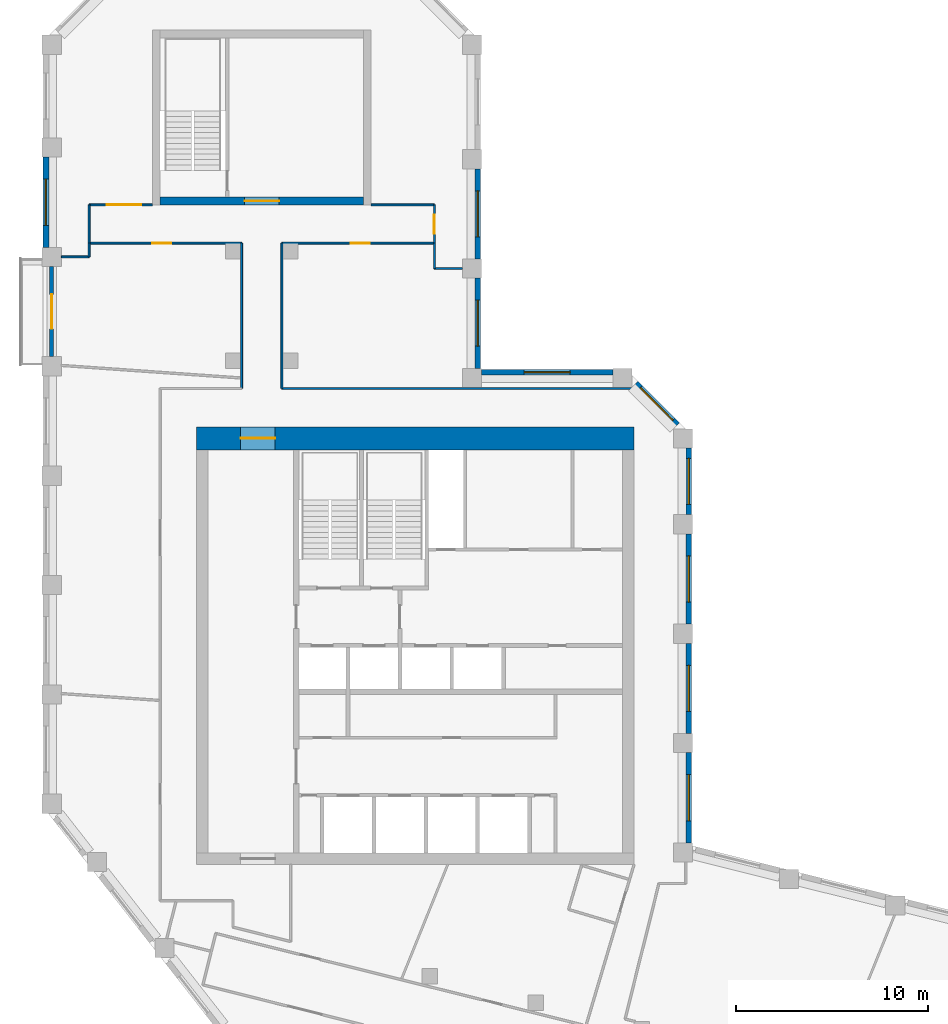
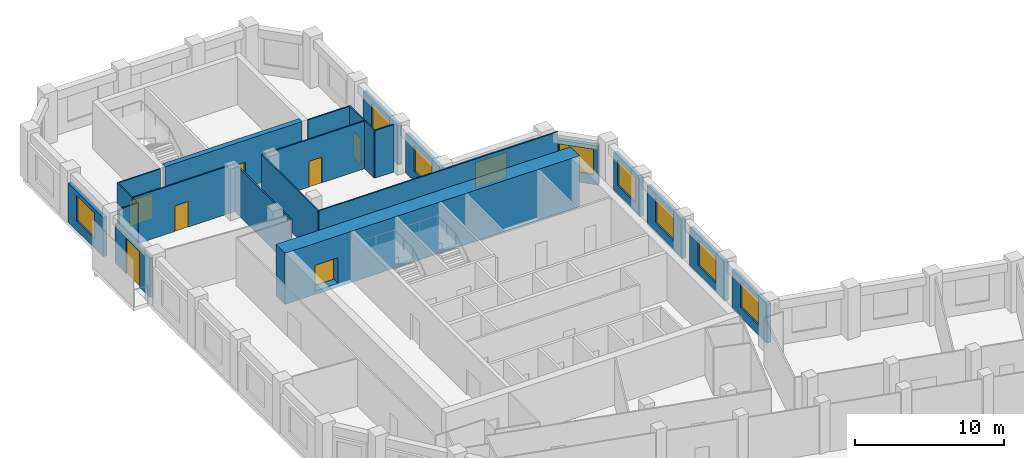
# One storey, part 6 of 9: 25 walls, 9 windows, 7 doors, 16 openings.
"""IFC4 building model written with IfcOpenShell, lengths in metres."""

from ifc_helpers import new_model, si_unit, direction, frame, frame_2d, origin, place, context, subcontext, project, spatial, rectangle, extrude, material, layer, layer_set, type_object, element, fill, save


model = new_model("IFC4")

# Units and contexts
model_context = context("Model", 3, precision=1e-05, world=origin(), true_north=direction((0.0, 1.0)))
body_context = subcontext(model_context, "Body", "Model", "MODEL_VIEW")
ifc_project = project(units=[si_unit("LENGTHUNIT", "METRE"), si_unit("AREAUNIT", "SQUARE_METRE"), si_unit("VOLUMEUNIT", "CUBIC_METRE"), si_unit("PLANEANGLEUNIT", "RADIAN"), si_unit("MASSUNIT", "GRAM", prefix="KILO")], contexts=[model_context])

# Site, building, storey
site_placement = place(None, origin())
site = spatial("IfcSite", under=ifc_project, at=site_placement, CompositionType="ELEMENT")
building_placement = place(site_placement, origin())
building = spatial("IfcBuilding", under=site, at=building_placement, Name="Meshkara Civic Tower", CompositionType="ELEMENT")
storey_placement = place(building_placement, frame((0.0, 0.0, 302.39990234375)))
storey = spatial("IfcBuildingStorey", under=building, at=storey_placement, Name="L69", CompositionType="ELEMENT", Elevation=302.39990234375)

# Wall, opening, door
ifc_material_1 = material(Name="Concrete C60", Category="concrete")
ifc_layer_1 = layer(ifc_material_1, 1.199951171875)
ifc_layer_set_1 = layer_set([ifc_layer_1], Name="Core ring wall 1200 C60")
wall_type_1 = type_object("IfcWallType", Name="Core ring wall 1200 C60", PredefinedType="SHEAR", material=ifc_layer_set_1)
wall_1_placement = place(storey_placement, frame((8.0, 36.300048828125, -0.2998046875), z_axis=(0.0, 0.0, 1.0), x_axis=(1.0, 0.0, 0.0)))
wall_1 = element("IfcWall", 1, at=wall_1_placement, inside=storey, type_object=wall_type_1, Name="L69-C002", PredefinedType="SHEAR", context=body_context, shape_type="SweptSolid", body=[
    extrude(rectangle(XDim=22.800048828125, YDim=1.199951171875, at=frame_2d((11.39990234375, 0.0))), origin(), (0.0, 0.0, 1.0), 4.199951171875),
])
opening_1_placement = place(wall_1_placement, frame((2.300048828125, 0.0, 0.300048828125)))
opening_1 = element("IfcOpeningElement", 2, at=opening_1_placement, cuts=wall_1, Name="Opening L69-K022", PredefinedType="OPENING", context=body_context, shape_type="SweptSolid", body=[
    extrude(rectangle(XDim=1.800048828125, YDim=2.10009765625, at=frame_2d((0.89990234375, 1.050048828125))), frame((0.0, 0.60986328125, 0.0), z_axis=(0.0, -1.0, 0.0), x_axis=(1.0, 0.0, 0.0)), (0.0, 0.0, 1.0), 1.219970703125),
])
ifc_material_2 = material(Name="Fire-rated door leaf in steel frame", Category="steel")
door_type_1 = type_object("IfcDoorType", Name="Core double door 1800 EI 60", OperationType="DOUBLE_DOOR_SINGLE_SWING", PredefinedType="DOOR", material=ifc_material_2)
door_1_placement = place(opening_1_placement, origin())
door_1 = element("IfcDoor", 3, at=door_1_placement, inside=storey, type_object=door_type_1, Name="L69-K022", OperationType="DOUBLE_DOOR_SINGLE_SWING", OverallHeight=2.10009765625, OverallWidth=1.800048828125, PredefinedType="DOOR", context=body_context, shape_type="SweptSolid", body=[
    extrude(rectangle(XDim=1.800048828125, YDim=2.10009765625, at=frame_2d((0.89990234375, 1.050048828125))), frame((0.0, 0.02490234375, 0.0), z_axis=(0.0, -1.0, 0.0), x_axis=(1.0, 0.0, 0.0)), (0.0, 0.0, 1.0), 0.050048828125),
])
fill(opening_1, door_1)

ifc_material_3 = material(Name="Corridor wall 100")
ifc_layer_2 = layer(ifc_material_3, 0.10009765625)
ifc_layer_set_2 = layer_set([ifc_layer_2], Name="Corridor wall 100")
wall_type_2 = type_object("IfcWallType", Name="Corridor wall 100", PredefinedType="PARTITIONING", material=ifc_layer_set_2)
wall_2_placement = place(storey_placement, frame((2.39990234375, 46.469970703125, 0.0), z_axis=(0.0, 0.0, 1.0), x_axis=(1.0, 0.0, 0.0)))
wall_2 = element("IfcWall", 4, at=wall_2_placement, inside=storey, type_object=wall_type_2, Name="L69-W001", PredefinedType="PARTITIONING", context=body_context, shape_type="SweptSolid", body=[
    extrude(rectangle(XDim=7.9501953125, YDim=0.10009765625, at=frame_2d((3.97509765625, 0.0))), origin(), (0.0, 0.0, 1.0), 3.900146484375),
])
opening_2_placement = place(wall_2_placement, frame((3.280029296875, 0.0, 0.0)))
opening_2 = element("IfcOpeningElement", 5, at=opening_2_placement, cuts=wall_2, Name="Opening L69-D014", PredefinedType="OPENING", context=body_context, shape_type="SweptSolid", body=[
    extrude(rectangle(XDim=1.0, YDim=2.10009765625, at=frame_2d((0.5, 1.050048828125))), frame((0.0, 0.06005859375, 0.0), z_axis=(0.0, -1.0, 0.0), x_axis=(1.0, 0.0, 0.0)), (0.0, 0.0, 1.0), 0.1201171875),
])
ifc_material_4 = material(Name="Door 1000 x 2100")
door_type_2 = type_object("IfcDoorType", Name="Door 1000 x 2100", OperationType="SINGLE_SWING_LEFT", PredefinedType="DOOR", material=ifc_material_4)
door_2_placement = place(opening_2_placement, origin())
door_2 = element("IfcDoor", 6, at=door_2_placement, inside=storey, type_object=door_type_2, Name="L69-D014", OperationType="SINGLE_SWING_RIGHT", OverallHeight=2.10009765625, OverallWidth=1.0, PredefinedType="DOOR", context=body_context, shape_type="SweptSolid", body=[
    extrude(rectangle(XDim=1.0, YDim=2.10009765625, at=frame_2d((0.5, 1.050048828125))), frame((0.0, 0.02490234375, 0.0), z_axis=(0.0, -1.0, 0.0), x_axis=(1.0, 0.0, 0.0)), (0.0, 0.0, 1.0), 0.050048828125),
])
fill(opening_2, door_2)

# Wall
wall_3_placement = place(storey_placement, frame((2.39990234375, 48.469970703125, 0.0), z_axis=(0.0, 0.0, 1.0), x_axis=(0.0, -1.0, 0.0)))
element("IfcWall", 7, at=wall_3_placement, inside=storey, type_object=wall_type_2, Name="L69-W002", PredefinedType="PARTITIONING", context=body_context, shape_type="SweptSolid", body=[
    extrude(rectangle(XDim=2.0, YDim=0.10009765625, at=frame_2d((1.0, 0.0))), origin(), (0.0, 0.0, 1.0), 3.900146484375),
])

# Wall, opening, door
wall_4_placement = place(storey_placement, frame((5.699951171875, 48.469970703125, 0.0), z_axis=(0.0, 0.0, 1.0), x_axis=(-1.0, 0.0, 0.0)))
wall_4 = element("IfcWall", 8, at=wall_4_placement, inside=storey, type_object=wall_type_2, Name="L69-W003", PredefinedType="PARTITIONING", context=body_context, shape_type="SweptSolid", body=[
    extrude(rectangle(XDim=3.300048828125, YDim=0.10009765625, at=frame_2d((1.64990234375, 0.0))), origin(), (0.0, 0.0, 1.0), 3.900146484375),
])
opening_3_placement = place(wall_4_placement, frame((0.580078125, 0.0, 0.0)))
opening_3 = element("IfcOpeningElement", 9, at=opening_3_placement, cuts=wall_4, Name="Opening L69-D017", PredefinedType="OPENING", context=body_context, shape_type="SweptSolid", body=[
    extrude(rectangle(XDim=1.800048828125, YDim=2.10009765625, at=frame_2d((0.89990234375, 1.050048828125))), frame((0.0, 0.06005859375, 0.0), z_axis=(0.0, -1.0, 0.0), x_axis=(1.0, 0.0, 0.0)), (0.0, 0.0, 1.0), 0.1201171875),
])
ifc_material_5 = material(Name="Door pair 1800 x 2100")
door_type_3 = type_object("IfcDoorType", Name="Door pair 1800 x 2100", OperationType="SINGLE_SWING_LEFT", PredefinedType="DOOR", material=ifc_material_5)
door_3_placement = place(opening_3_placement, origin())
door_3 = element("IfcDoor", 10, at=door_3_placement, inside=storey, type_object=door_type_3, Name="L69-D017", OperationType="DOUBLE_DOOR_SINGLE_SWING", OverallHeight=2.10009765625, OverallWidth=1.800048828125, PredefinedType="DOOR", context=body_context, shape_type="SweptSolid", body=[
    extrude(rectangle(XDim=1.800048828125, YDim=2.10009765625, at=frame_2d((0.89990234375, 1.050048828125))), frame((0.0, 0.02490234375, 0.0), z_axis=(0.0, -1.0, 0.0), x_axis=(1.0, 0.0, 0.0)), (0.0, 0.0, 1.0), 0.050048828125),
])
fill(opening_3, door_3)

# Walls
for number, where, z_axis, x_axis, name in (
    (11, (10.35009765625, 46.469970703125, 0.0), (0.0, 0.0, 1.0), (0.0, -1.0, 0.0), "L69-W012"),
    (12, (12.449951171875, 38.89990234375, 0.0), (0.0, 0.0, 1.0), (0.0, 1.0, 0.0), "L69-W013"),
):
    element("IfcWall", number, at=place(storey_placement, frame(where, z_axis=z_axis, x_axis=x_axis)), inside=storey, type_object=wall_type_2, Name=name, PredefinedType="PARTITIONING", context=body_context, shape_type="SweptSolid", body=[
        extrude(rectangle(XDim=7.570068359375, YDim=0.10009765625, at=frame_2d((3.78515625, 0.0))), origin(), (0.0, 0.0, 1.0), 3.900146484375),
    ])

# Wall, opening, door
wall_5_placement = place(storey_placement, frame((12.449951171875, 46.469970703125, 0.0), z_axis=(0.0, 0.0, 1.0), x_axis=(1.0, 0.0, 0.0)))
wall_5 = element("IfcWall", 13, at=wall_5_placement, inside=storey, type_object=wall_type_2, Name="L69-W014", PredefinedType="PARTITIONING", context=body_context, shape_type="SweptSolid", body=[
    extrude(rectangle(XDim=7.949951171875, YDim=0.10009765625, at=frame_2d((3.97509765625, 0.0))), origin(), (0.0, 0.0, 1.0), 3.900146484375),
])
opening_4_placement = place(wall_5_placement, frame((3.580078125, 0.0, 0.0)))
opening_4 = element("IfcOpeningElement", 14, at=opening_4_placement, cuts=wall_5, Name="Opening L69-D015", PredefinedType="OPENING", context=body_context, shape_type="SweptSolid", body=[
    extrude(rectangle(XDim=1.0, YDim=2.10009765625, at=frame_2d((0.5, 1.050048828125))), frame((0.0, 0.06005859375, 0.0), z_axis=(0.0, -1.0, 0.0), x_axis=(1.0, 0.0, 0.0)), (0.0, 0.0, 1.0), 0.1201171875),
])
door_4_placement = place(opening_4_placement, origin())
door_4 = element("IfcDoor", 15, at=door_4_placement, inside=storey, type_object=door_type_2, Name="L69-D015", OperationType="SINGLE_SWING_LEFT", OverallHeight=2.10009765625, OverallWidth=1.0, PredefinedType="DOOR", context=body_context, shape_type="SweptSolid", body=[
    extrude(rectangle(XDim=1.0, YDim=2.10009765625, at=frame_2d((0.5, 1.050048828125))), frame((0.0, 0.02490234375, 0.0), z_axis=(0.0, -1.0, 0.0), x_axis=(1.0, 0.0, 0.0)), (0.0, 0.0, 1.0), 0.050048828125),
])
fill(opening_4, door_4)

wall_6_placement = place(storey_placement, frame((20.39990234375, 46.469970703125, 0.0), z_axis=(0.0, 0.0, 1.0), x_axis=(0.0, 1.0, 0.0)))
wall_6 = element("IfcWall", 16, at=wall_6_placement, inside=storey, type_object=wall_type_2, Name="L69-W017", PredefinedType="PARTITIONING", context=body_context, shape_type="SweptSolid", body=[
    extrude(rectangle(XDim=2.0, YDim=0.10009765625, at=frame_2d((1.0, 0.0))), origin(), (0.0, 0.0, 1.0), 3.900146484375),
])
opening_5_placement = place(wall_6_placement, frame((0.47998046875, 0.0, 0.0)))
opening_5 = element("IfcOpeningElement", 17, at=opening_5_placement, cuts=wall_6, Name="Opening L69-D016", PredefinedType="OPENING", context=body_context, shape_type="SweptSolid", body=[
    extrude(rectangle(XDim=1.0, YDim=2.10009765625, at=frame_2d((0.5, 1.050048828125))), frame((0.0, 0.06005859375, 0.0), z_axis=(0.0, -1.0, 0.0), x_axis=(1.0, 0.0, 0.0)), (0.0, 0.0, 1.0), 0.1201171875),
])
door_5_placement = place(opening_5_placement, origin())
door_5 = element("IfcDoor", 18, at=door_5_placement, inside=storey, type_object=door_type_2, Name="L69-D016", OperationType="SINGLE_SWING_RIGHT", OverallHeight=2.10009765625, OverallWidth=1.0, PredefinedType="DOOR", context=body_context, shape_type="SweptSolid", body=[
    extrude(rectangle(XDim=1.0, YDim=2.10009765625, at=frame_2d((0.5, 1.050048828125))), frame((0.0, 0.02490234375, 0.0), z_axis=(0.0, -1.0, 0.0), x_axis=(1.0, 0.0, 0.0)), (0.0, 0.0, 1.0), 0.050048828125),
])
fill(opening_5, door_5)

# Walls
wall_7_placement = place(storey_placement, frame((20.39990234375, 48.469970703125, 0.0), z_axis=(0.0, 0.0, 1.0), x_axis=(-1.0, 0.0, 0.0)))
element("IfcWall", 19, at=wall_7_placement, inside=storey, type_object=wall_type_2, Name="L69-W018", PredefinedType="PARTITIONING", context=body_context, shape_type="SweptSolid", body=[
    extrude(rectangle(XDim=3.2998046875, YDim=0.10009765625, at=frame_2d((1.64990234375, 0.0))), origin(), (0.0, 0.0, 1.0), 3.900146484375),
])
wall_8_placement = place(storey_placement, frame((30.9560546875, 38.89990234375, 0.0), z_axis=(0.0, 0.0, 1.0), x_axis=(-1.0, 0.0, 0.0)))
element("IfcWall", 20, at=wall_8_placement, inside=storey, type_object=wall_type_2, Name="L69-W024", PredefinedType="PARTITIONING", context=body_context, shape_type="SweptSolid", body=[
    extrude(rectangle(XDim=18.506103515625, YDim=0.10009765625, at=frame_2d((9.2529296875, 0.0))), origin(), (0.0, 0.0, 1.0), 3.900146484375),
])

# Wall, opening, window
ifc_material_6 = material(Name="Insulated infill panel with bronze anodised aluminium cladding", Category="aluminium")
ifc_layer_3 = layer(ifc_material_6, 0.300048828125)
ifc_layer_set_3 = layer_set([ifc_layer_3], Name="EXTERNAL INFILL WALL 300")
wall_type_3 = type_object("IfcWallType", Name="EXTERNAL INFILL WALL 300", PredefinedType="SOLIDWALL", material=ifc_layer_set_3)
wall_9_placement = place(storey_placement, frame((33.64990234375, 15.218994140625, 0.0), z_axis=(0.0, 0.0, 1.0), x_axis=(0.0, 1.0, 0.0)))
wall_9 = element("IfcWall", 21, at=wall_9_placement, inside=storey, type_object=wall_type_3, Name="External wall", PredefinedType="SOLIDWALL", context=body_context, shape_type="SweptSolid", body=[
    extrude(rectangle(XDim=4.699951171875, YDim=0.300048828125, at=frame_2d((2.35009765625, 0.0))), origin(), (0.0, 0.0, 1.0), 3.2001953125),
])
opening_6_placement = place(wall_9_placement, frame((1.14990234375, 0.0, 0.800048828125)))
opening_6 = element("IfcOpeningElement", 22, at=opening_6_placement, cuts=wall_9, Name="Opening W7", PredefinedType="OPENING", context=body_context, shape_type="SweptSolid", body=[
    extrude(rectangle(XDim=2.39990234375, YDim=2.10009765625, at=frame_2d((1.199951171875, 1.050048828125))), frame((0.0, 0.159912109375, 0.0), z_axis=(0.0, -1.0, 0.0), x_axis=(1.0, 0.0, 0.0)), (0.0, 0.0, 1.0), 0.320068359375),
])
ifc_material_7 = material(Name="Tinted double glazing", Category="glass")
window_type = type_object("IfcWindowType", Name="WINDOW 2400x2100", PartitioningType="DOUBLE_PANEL_VERTICAL", PredefinedType="WINDOW", material=ifc_material_7)
window_1_placement = place(opening_6_placement, origin())
window_1 = element("IfcWindow", 23, at=window_1_placement, inside=storey, type_object=window_type, Name="Window", OverallHeight=2.10009765625, OverallWidth=2.39990234375, PartitioningType="DOUBLE_PANEL_VERTICAL", PredefinedType="WINDOW", context=body_context, shape_type="SweptSolid", body=[
    extrude(rectangle(XDim=2.39990234375, YDim=2.10009765625, at=frame_2d((1.199951171875, 1.050048828125))), frame((0.0, 0.030029296875, 0.0), z_axis=(0.0, -1.0, 0.0), x_axis=(1.0, 0.0, 0.0)), (0.0, 0.0, 1.0), 0.06005859375),
])
fill(opening_6, window_1)

wall_10_placement = place(storey_placement, frame((33.64990234375, 20.9189453125, 0.0), z_axis=(0.0, 0.0, 1.0), x_axis=(0.0, 1.0, 0.0)))
wall_10 = element("IfcWall", 24, at=wall_10_placement, inside=storey, type_object=wall_type_3, Name="External wall", PredefinedType="SOLIDWALL", context=body_context, shape_type="SweptSolid", body=[
    extrude(rectangle(XDim=4.699951171875, YDim=0.300048828125, at=frame_2d((2.35009765625, 0.0))), origin(), (0.0, 0.0, 1.0), 3.2001953125),
])
opening_7_placement = place(wall_10_placement, frame((1.14990234375, 0.0, 0.800048828125)))
opening_7 = element("IfcOpeningElement", 25, at=opening_7_placement, cuts=wall_10, Name="Opening W7", PredefinedType="OPENING", context=body_context, shape_type="SweptSolid", body=[
    extrude(rectangle(XDim=2.39990234375, YDim=2.10009765625, at=frame_2d((1.199951171875, 1.050048828125))), frame((0.0, 0.159912109375, 0.0), z_axis=(0.0, -1.0, 0.0), x_axis=(1.0, 0.0, 0.0)), (0.0, 0.0, 1.0), 0.320068359375),
])
window_2_placement = place(opening_7_placement, origin())
window_2 = element("IfcWindow", 26, at=window_2_placement, inside=storey, type_object=window_type, Name="Window", OverallHeight=2.10009765625, OverallWidth=2.39990234375, PartitioningType="DOUBLE_PANEL_VERTICAL", PredefinedType="WINDOW", context=body_context, shape_type="SweptSolid", body=[
    extrude(rectangle(XDim=2.39990234375, YDim=2.10009765625, at=frame_2d((1.199951171875, 1.050048828125))), frame((0.0, 0.030029296875, 0.0), z_axis=(0.0, -1.0, 0.0), x_axis=(1.0, 0.0, 0.0)), (0.0, 0.0, 1.0), 0.06005859375),
])
fill(opening_7, window_2)

wall_11_placement = place(storey_placement, frame((33.64990234375, 26.618896484375, 0.0), z_axis=(0.0, 0.0, 1.0), x_axis=(0.0, 1.0, 0.0)))
wall_11 = element("IfcWall", 27, at=wall_11_placement, inside=storey, type_object=wall_type_3, Name="External wall", PredefinedType="SOLIDWALL", context=body_context, shape_type="SweptSolid", body=[
    extrude(rectangle(XDim=4.7001953125, YDim=0.300048828125, at=frame_2d((2.35009765625, 0.0))), origin(), (0.0, 0.0, 1.0), 3.2001953125),
])
opening_8_placement = place(wall_11_placement, frame((1.14990234375, 0.0, 0.800048828125)))
opening_8 = element("IfcOpeningElement", 28, at=opening_8_placement, cuts=wall_11, Name="Opening W7", PredefinedType="OPENING", context=body_context, shape_type="SweptSolid", body=[
    extrude(rectangle(XDim=2.39990234375, YDim=2.10009765625, at=frame_2d((1.199951171875, 1.050048828125))), frame((0.0, 0.159912109375, 0.0), z_axis=(0.0, -1.0, 0.0), x_axis=(1.0, 0.0, 0.0)), (0.0, 0.0, 1.0), 0.320068359375),
])
window_3_placement = place(opening_8_placement, origin())
window_3 = element("IfcWindow", 29, at=window_3_placement, inside=storey, type_object=window_type, Name="Window", OverallHeight=2.10009765625, OverallWidth=2.39990234375, PartitioningType="DOUBLE_PANEL_VERTICAL", PredefinedType="WINDOW", context=body_context, shape_type="SweptSolid", body=[
    extrude(rectangle(XDim=2.39990234375, YDim=2.10009765625, at=frame_2d((1.199951171875, 1.050048828125))), frame((0.0, 0.030029296875, 0.0), z_axis=(0.0, -1.0, 0.0), x_axis=(1.0, 0.0, 0.0)), (0.0, 0.0, 1.0), 0.06005859375),
])
fill(opening_8, window_3)

wall_12_placement = place(storey_placement, frame((33.64990234375, 32.319091796875, 0.0), z_axis=(0.0, 0.0, 1.0), x_axis=(0.0, 1.0, 0.0)))
wall_12 = element("IfcWall", 30, at=wall_12_placement, inside=storey, type_object=wall_type_3, Name="External wall", PredefinedType="SOLIDWALL", context=body_context, shape_type="SweptSolid", body=[
    extrude(rectangle(XDim=3.474853515625, YDim=0.300048828125, at=frame_2d((1.7373046875, 0.0))), origin(), (0.0, 0.0, 1.0), 3.2001953125),
])
opening_9_placement = place(wall_12_placement, frame((0.5380859375, 0.0, 0.800048828125)))
opening_9 = element("IfcOpeningElement", 31, at=opening_9_placement, cuts=wall_12, Name="Opening W7", PredefinedType="OPENING", context=body_context, shape_type="SweptSolid", body=[
    extrude(rectangle(XDim=2.39990234375, YDim=2.10009765625, at=frame_2d((1.199951171875, 1.050048828125))), frame((0.0, 0.159912109375, 0.0), z_axis=(0.0, -1.0, 0.0), x_axis=(1.0, 0.0, 0.0)), (0.0, 0.0, 1.0), 0.320068359375),
])
window_4_placement = place(opening_9_placement, origin())
window_4 = element("IfcWindow", 32, at=window_4_placement, inside=storey, type_object=window_type, Name="Window", OverallHeight=2.10009765625, OverallWidth=2.39990234375, PartitioningType="DOUBLE_PANEL_VERTICAL", PredefinedType="WINDOW", context=body_context, shape_type="SweptSolid", body=[
    extrude(rectangle(XDim=2.39990234375, YDim=2.10009765625, at=frame_2d((1.199951171875, 1.050048828125))), frame((0.0, 0.030029296875, 0.0), z_axis=(0.0, -1.0, 0.0), x_axis=(1.0, 0.0, 0.0)), (0.0, 0.0, 1.0), 0.06005859375),
])
fill(opening_9, window_4)

wall_13_placement = place(storey_placement, frame((33.06201171875, 37.006103515625, 0.0), z_axis=(0.0, 0.0, 1.0), x_axis=(-0.707106781187, 0.707106781187, 0.0)))
wall_13 = element("IfcWall", 33, at=wall_13_placement, inside=storey, type_object=wall_type_3, Name="External wall", PredefinedType="SOLIDWALL", context=body_context, shape_type="SweptSolid", body=[
    extrude(rectangle(XDim=3.049072265625, YDim=0.300048828125, at=frame_2d((1.5244140625, 0.0))), origin(), (0.0, 0.0, 1.0), 3.2001953125),
])
opening_10_placement = place(wall_13_placement, frame((0.324951171875, 0.0, 0.800048828125)))
opening_10 = element("IfcOpeningElement", 34, at=opening_10_placement, cuts=wall_13, Name="Opening W7", PredefinedType="OPENING", context=body_context, shape_type="SweptSolid", body=[
    extrude(rectangle(XDim=2.39990234375, YDim=2.10009765625, at=frame_2d((1.199951171875, 1.050048828125))), frame((0.0, 0.159912109375, 0.0), z_axis=(0.0, -1.0, 0.0), x_axis=(1.0, 0.0, 0.0)), (0.0, 0.0, 1.0), 0.320068359375),
])
window_5_placement = place(opening_10_placement, origin())
window_5 = element("IfcWindow", 35, at=window_5_placement, inside=storey, type_object=window_type, Name="Window", OverallHeight=2.10009765625, OverallWidth=2.39990234375, PartitioningType="DOUBLE_PANEL_VERTICAL", PredefinedType="WINDOW", context=body_context, shape_type="SweptSolid", body=[
    extrude(rectangle(XDim=2.39990234375, YDim=2.10009765625, at=frame_2d((1.199951171875, 1.050048828125))), frame((0.0, 0.030029296875, 0.0), z_axis=(0.0, -1.0, 0.0), x_axis=(1.0, 0.0, 0.0)), (0.0, 0.0, 1.0), 0.06005859375),
])
fill(opening_10, window_5)

wall_14_placement = place(storey_placement, frame((29.694091796875, 39.75, 0.0), z_axis=(0.0, 0.0, 1.0), x_axis=(-1.0, 0.0, 0.0)))
wall_14 = element("IfcWall", 36, at=wall_14_placement, inside=storey, type_object=wall_type_3, Name="External wall", PredefinedType="SOLIDWALL", context=body_context, shape_type="SweptSolid", body=[
    extrude(rectangle(XDim=6.843994140625, YDim=0.300048828125, at=frame_2d((3.421875, 0.0))), origin(), (0.0, 0.0, 1.0), 3.2001953125),
])
opening_11_placement = place(wall_14_placement, frame((2.221923828125, 0.0, 0.800048828125)))
opening_11 = element("IfcOpeningElement", 37, at=opening_11_placement, cuts=wall_14, Name="Opening W7", PredefinedType="OPENING", context=body_context, shape_type="SweptSolid", body=[
    extrude(rectangle(XDim=2.39990234375, YDim=2.10009765625, at=frame_2d((1.199951171875, 1.050048828125))), frame((0.0, 0.159912109375, 0.0), z_axis=(0.0, -1.0, 0.0), x_axis=(1.0, 0.0, 0.0)), (0.0, 0.0, 1.0), 0.320068359375),
])
window_6_placement = place(opening_11_placement, origin())
window_6 = element("IfcWindow", 38, at=window_6_placement, inside=storey, type_object=window_type, Name="Window", OverallHeight=2.10009765625, OverallWidth=2.39990234375, PartitioningType="DOUBLE_PANEL_VERTICAL", PredefinedType="WINDOW", context=body_context, shape_type="SweptSolid", body=[
    extrude(rectangle(XDim=2.39990234375, YDim=2.10009765625, at=frame_2d((1.199951171875, 1.050048828125))), frame((0.0, 0.030029296875, 0.0), z_axis=(0.0, -1.0, 0.0), x_axis=(1.0, 0.0, 0.0)), (0.0, 0.0, 1.0), 0.06005859375),
])
fill(opening_11, window_6)

wall_15_placement = place(storey_placement, frame((22.64990234375, 39.949951171875, 0.0), z_axis=(0.0, 0.0, 1.0), x_axis=(0.0, 1.0, 0.0)))
wall_15 = element("IfcWall", 39, at=wall_15_placement, inside=storey, type_object=wall_type_3, Name="External wall", PredefinedType="SOLIDWALL", context=body_context, shape_type="SweptSolid", body=[
    extrude(rectangle(XDim=4.699951171875, YDim=0.300048828125, at=frame_2d((2.35009765625, 0.0))), origin(), (0.0, 0.0, 1.0), 3.2001953125),
])
opening_12_placement = place(wall_15_placement, frame((1.14990234375, 0.0, 0.800048828125)))
opening_12 = element("IfcOpeningElement", 40, at=opening_12_placement, cuts=wall_15, Name="Opening W7", PredefinedType="OPENING", context=body_context, shape_type="SweptSolid", body=[
    extrude(rectangle(XDim=2.39990234375, YDim=2.10009765625, at=frame_2d((1.199951171875, 1.050048828125))), frame((0.0, 0.159912109375, 0.0), z_axis=(0.0, -1.0, 0.0), x_axis=(1.0, 0.0, 0.0)), (0.0, 0.0, 1.0), 0.320068359375),
])
window_7_placement = place(opening_12_placement, origin())
window_7 = element("IfcWindow", 41, at=window_7_placement, inside=storey, type_object=window_type, Name="Window", OverallHeight=2.10009765625, OverallWidth=2.39990234375, PartitioningType="DOUBLE_PANEL_VERTICAL", PredefinedType="WINDOW", context=body_context, shape_type="SweptSolid", body=[
    extrude(rectangle(XDim=2.39990234375, YDim=2.10009765625, at=frame_2d((1.199951171875, 1.050048828125))), frame((0.0, 0.030029296875, 0.0), z_axis=(0.0, -1.0, 0.0), x_axis=(1.0, 0.0, 0.0)), (0.0, 0.0, 1.0), 0.06005859375),
])
fill(opening_12, window_7)

wall_16_placement = place(storey_placement, frame((22.64990234375, 45.64990234375, 0.0), z_axis=(0.0, 0.0, 1.0), x_axis=(0.0, 1.0, 0.0)))
wall_16 = element("IfcWall", 42, at=wall_16_placement, inside=storey, type_object=wall_type_3, Name="External wall", PredefinedType="SOLIDWALL", context=body_context, shape_type="SweptSolid", body=[
    extrude(rectangle(XDim=4.7001953125, YDim=0.300048828125, at=frame_2d((2.35009765625, 0.0))), origin(), (0.0, 0.0, 1.0), 3.2001953125),
])
opening_13_placement = place(wall_16_placement, frame((1.14990234375, 0.0, 0.800048828125)))
opening_13 = element("IfcOpeningElement", 43, at=opening_13_placement, cuts=wall_16, Name="Opening W7", PredefinedType="OPENING", context=body_context, shape_type="SweptSolid", body=[
    extrude(rectangle(XDim=2.39990234375, YDim=2.10009765625, at=frame_2d((1.199951171875, 1.050048828125))), frame((0.0, 0.159912109375, 0.0), z_axis=(0.0, -1.0, 0.0), x_axis=(1.0, 0.0, 0.0)), (0.0, 0.0, 1.0), 0.320068359375),
])
window_8_placement = place(opening_13_placement, origin())
window_8 = element("IfcWindow", 44, at=window_8_placement, inside=storey, type_object=window_type, Name="Window", OverallHeight=2.10009765625, OverallWidth=2.39990234375, PartitioningType="DOUBLE_PANEL_VERTICAL", PredefinedType="WINDOW", context=body_context, shape_type="SweptSolid", body=[
    extrude(rectangle(XDim=2.39990234375, YDim=2.10009765625, at=frame_2d((1.199951171875, 1.050048828125))), frame((0.0, 0.030029296875, 0.0), z_axis=(0.0, -1.0, 0.0), x_axis=(1.0, 0.0, 0.0)), (0.0, 0.0, 1.0), 0.06005859375),
])
fill(opening_13, window_8)

wall_17_placement = place(storey_placement, frame((0.14990234375, 50.955078125, 0.0), z_axis=(0.0, 0.0, 1.0), x_axis=(0.0, -1.0, 0.0)))
wall_17 = element("IfcWall", 45, at=wall_17_placement, inside=storey, type_object=wall_type_3, Name="External wall", PredefinedType="SOLIDWALL", context=body_context, shape_type="SweptSolid", body=[
    extrude(rectangle(XDim=4.7001953125, YDim=0.300048828125, at=frame_2d((2.35009765625, 0.0))), origin(), (0.0, 0.0, 1.0), 3.2001953125),
])
opening_14_placement = place(wall_17_placement, frame((1.14990234375, 0.0, 0.800048828125)))
opening_14 = element("IfcOpeningElement", 46, at=opening_14_placement, cuts=wall_17, Name="Opening W7", PredefinedType="OPENING", context=body_context, shape_type="SweptSolid", body=[
    extrude(rectangle(XDim=2.39990234375, YDim=2.10009765625, at=frame_2d((1.199951171875, 1.050048828125))), frame((0.0, 0.159912109375, 0.0), z_axis=(0.0, -1.0, 0.0), x_axis=(1.0, 0.0, 0.0)), (0.0, 0.0, 1.0), 0.320068359375),
])
window_9_placement = place(opening_14_placement, origin())
window_9 = element("IfcWindow", 47, at=window_9_placement, inside=storey, type_object=window_type, Name="Window", OverallHeight=2.10009765625, OverallWidth=2.39990234375, PartitioningType="DOUBLE_PANEL_VERTICAL", PredefinedType="WINDOW", context=body_context, shape_type="SweptSolid", body=[
    extrude(rectangle(XDim=2.39990234375, YDim=2.10009765625, at=frame_2d((1.199951171875, 1.050048828125))), frame((0.0, 0.030029296875, 0.0), z_axis=(0.0, -1.0, 0.0), x_axis=(1.0, 0.0, 0.0)), (0.0, 0.0, 1.0), 0.06005859375),
])
fill(opening_14, window_9)

# Wall, opening, door
ifc_material_8 = material(Name="Concrete C60", Category="concrete")
ifc_layer_4 = layer(ifc_material_8, 0.39990234375)
ifc_layer_set_4 = layer_set([ifc_layer_4], Name="End core ring wall 400 C60")
wall_type_4 = type_object("IfcWallType", Name="End core ring wall 400 C60", PredefinedType="SHEAR", material=ifc_layer_set_4)
wall_18_placement = place(storey_placement, frame((6.10009765625, 48.669921875, -0.2998046875), z_axis=(0.0, 0.0, 1.0), x_axis=(1.0, 0.0, 0.0)))
wall_18 = element("IfcWall", 48, at=wall_18_placement, inside=storey, type_object=wall_type_4, Name="L69-C029", PredefinedType="SHEAR", context=body_context, shape_type="SweptSolid", body=[
    extrude(rectangle(XDim=10.599853515625, YDim=0.39990234375, at=frame_2d((5.2998046875, 0.0))), origin(), (0.0, 0.0, 1.0), 4.199951171875),
])
opening_15_placement = place(wall_18_placement, frame((4.39990234375, 0.0, 0.300048828125)))
opening_15 = element("IfcOpeningElement", 49, at=opening_15_placement, cuts=wall_18, Name="Opening L69-K102", PredefinedType="OPENING", context=body_context, shape_type="SweptSolid", body=[
    extrude(rectangle(XDim=1.800048828125, YDim=2.10009765625, at=frame_2d((0.89990234375, 1.050048828125))), frame((0.0, 0.2099609375, 0.0), z_axis=(0.0, -1.0, 0.0), x_axis=(1.0, 0.0, 0.0)), (0.0, 0.0, 1.0), 0.419921875),
])
door_6_placement = place(opening_15_placement, origin())
door_6 = element("IfcDoor", 50, at=door_6_placement, inside=storey, type_object=door_type_1, Name="L69-K102", OperationType="DOUBLE_DOOR_SINGLE_SWING", OverallHeight=2.10009765625, OverallWidth=1.800048828125, PredefinedType="DOOR", context=body_context, shape_type="SweptSolid", body=[
    extrude(rectangle(XDim=1.800048828125, YDim=2.10009765625, at=frame_2d((0.89990234375, 1.050048828125))), frame((0.0, 0.02490234375, 0.0), z_axis=(0.0, -1.0, 0.0), x_axis=(1.0, 0.0, 0.0)), (0.0, 0.0, 1.0), 0.050048828125),
])
fill(opening_15, door_6)

ifc_material_9 = material(Name="Insulated infill panel with bronze anodised aluminium cladding", Category="aluminium")
ifc_layer_5 = layer(ifc_material_9, 0.199951171875)
ifc_layer_set_5 = layer_set([ifc_layer_5], Name="LOGGIA BACK WALL 200")
wall_type_5 = type_object("IfcWallType", Name="LOGGIA BACK WALL 200", PredefinedType="SOLIDWALL", material=ifc_layer_set_5)
wall_19_placement = place(storey_placement, frame((0.449951171875, 45.2548828125, 0.0), z_axis=(0.0, 0.0, 1.0), x_axis=(0.0, -1.0, 0.0)))
wall_19 = element("IfcWall", 51, at=wall_19_placement, inside=storey, type_object=wall_type_5, Name="Loggia wall", PredefinedType="SOLIDWALL", context=body_context, shape_type="SweptSolid", body=[
    extrude(rectangle(XDim=4.699951171875, YDim=0.199951171875, at=frame_2d((2.35009765625, 0.0))), origin(), (0.0, 0.0, 1.0), 3.2001953125),
])
opening_16_placement = place(wall_19_placement, frame((1.449951171875, 0.0, 0.0)))
opening_16 = element("IfcOpeningElement", 52, at=opening_16_placement, cuts=wall_19, Name="Opening L69-L001", PredefinedType="OPENING", context=body_context, shape_type="SweptSolid", body=[
    extrude(rectangle(XDim=1.800048828125, YDim=2.89990234375, at=frame_2d((0.89990234375, 1.449951171875))), frame((0.0, 0.10986328125, 0.0), z_axis=(0.0, -1.0, 0.0), x_axis=(1.0, 0.0, 0.0)), (0.0, 0.0, 1.0), 0.219970703125),
])
ifc_material_10 = material(Name="Tinted double glazing", Category="glass")
door_type_4 = type_object("IfcDoorType", Name="LOGGIA DOOR 1800x2900", OperationType="DOUBLE_DOOR_SINGLE_SWING", PredefinedType="DOOR", material=ifc_material_10)
door_7_placement = place(opening_16_placement, origin())
door_7 = element("IfcDoor", 53, at=door_7_placement, inside=storey, type_object=door_type_4, Name="L69-L001", OperationType="DOUBLE_DOOR_SINGLE_SWING", OverallHeight=2.89990234375, OverallWidth=1.800048828125, PredefinedType="DOOR", context=body_context, shape_type="SweptSolid", body=[
    extrude(rectangle(XDim=1.800048828125, YDim=2.89990234375, at=frame_2d((0.89990234375, 1.449951171875))), frame((0.0, 0.02490234375, 0.0), z_axis=(0.0, -1.0, 0.0), x_axis=(1.0, 0.0, 0.0)), (0.0, 0.0, 1.0), 0.050048828125),
])
fill(opening_16, door_7)

# Walls
ifc_material_11 = material(Name="Partition 100")
ifc_layer_6 = layer(ifc_material_11, 0.10009765625)
ifc_layer_set_6 = layer_set([ifc_layer_6], Name="Partition 100")
wall_type_6 = type_object("IfcWallType", Name="Partition 100", PredefinedType="PARTITIONING", material=ifc_layer_set_6)
wall_20_placement = place(storey_placement, frame((2.39990234375, 45.7548828125, 0.0), z_axis=(0.0, 0.0, 1.0), x_axis=(-1.0, 0.0, 0.0)))
element("IfcWall", 54, at=wall_20_placement, inside=storey, type_object=wall_type_6, Name="L69-W040", PredefinedType="PARTITIONING", context=body_context, shape_type="SweptSolid", body=[
    extrude(rectangle(XDim=1.449951171875, YDim=0.10009765625, at=frame_2d((0.72509765625, 0.0))), origin(), (0.0, 0.0, 1.0), 3.900146484375),
])
wall_21_placement = place(storey_placement, frame((2.39990234375, 46.47412109375, 0.0), z_axis=(0.0, 0.0, 1.0), x_axis=(0.0, -1.0, 0.0)))
element("IfcWall", 55, at=wall_21_placement, inside=storey, type_object=wall_type_6, Name="L69-W041", PredefinedType="PARTITIONING", context=body_context, shape_type="SweptSolid", body=[
    extrude(rectangle(XDim=0.71923828125, YDim=0.10009765625, at=frame_2d((0.359619140625, 0.0))), origin(), (0.0, 0.0, 1.0), 3.900146484375),
])
wall_22_placement = place(storey_placement, frame((20.39990234375, 45.14990234375, 0.0), z_axis=(0.0, 0.0, 1.0), x_axis=(0.0, 1.0, 0.0)))
element("IfcWall", 56, at=wall_22_placement, inside=storey, type_object=wall_type_6, Name="L69-W047", PredefinedType="PARTITIONING", context=body_context, shape_type="SweptSolid", body=[
    extrude(rectangle(XDim=1.32421875, YDim=0.10009765625, at=frame_2d((0.662109375, 0.0))), origin(), (0.0, 0.0, 1.0), 3.900146484375),
])
wall_23_placement = place(storey_placement, frame((21.85009765625, 45.14990234375, 0.0), z_axis=(0.0, 0.0, 1.0), x_axis=(-1.0, 0.0, 0.0)))
element("IfcWall", 57, at=wall_23_placement, inside=storey, type_object=wall_type_6, Name="L69-W048", PredefinedType="PARTITIONING", context=body_context, shape_type="SweptSolid", body=[
    extrude(rectangle(XDim=1.4501953125, YDim=0.10009765625, at=frame_2d((0.72509765625, 0.0))), origin(), (0.0, 0.0, 1.0), 3.900146484375),
])

save(model, "model.ifc")
